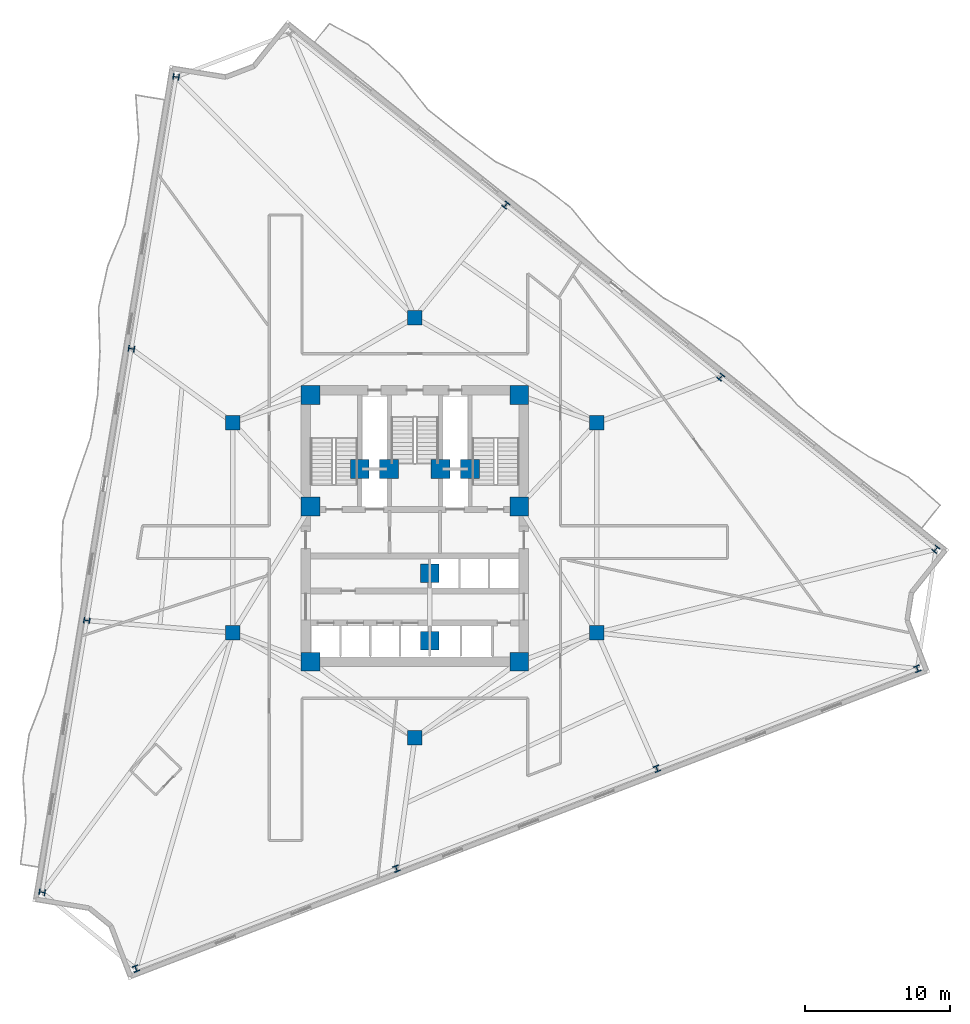
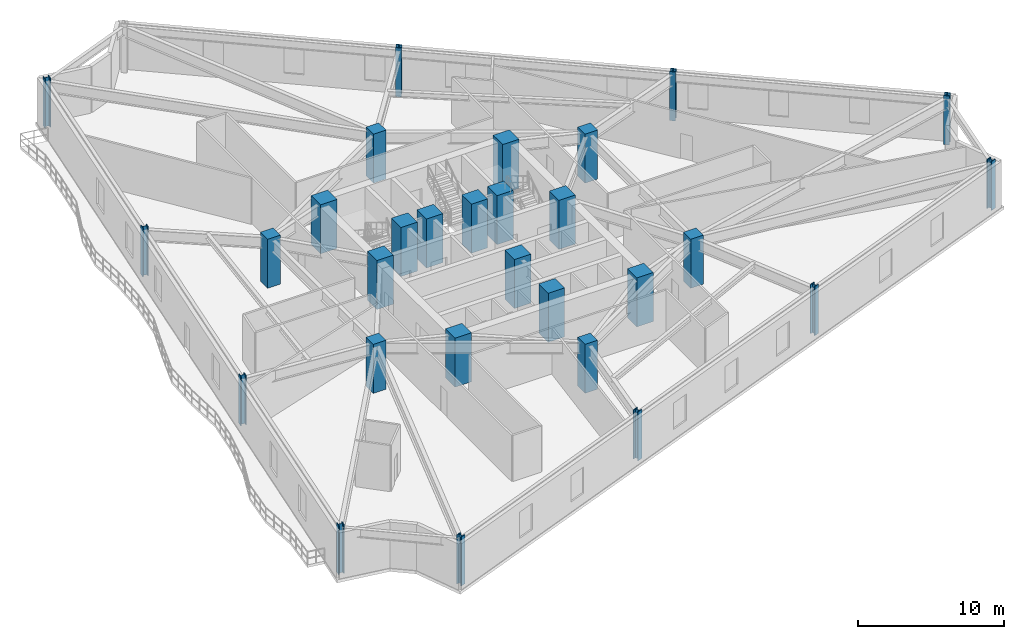
# One storey, part 1 of 10: 29 columns.
"""IFC4 building model written with IfcOpenShell, lengths in metres."""

import ifcopenshell
import ifcopenshell.guid

model = None  # the IFC model being written
_history = None  # IfcOwnerHistory: only IFC2X3 demands one
_inside = {}  # id of a spatial element -> (the spatial element, [elements in it])
_under = {}  # id of a project, library or spatial element -> (it, [spatial elements below it])
_declared = {}  # id of a project -> (the project, [libraries it declares])
_typed = {}  # id of a type object -> (the type object, [elements of that type])
_made_of = {}  # id of a material, layer set ... -> (it, [elements and type objects made of it])


def new_model(schema):
    """Start an empty IFC model of exactly this schema.

    Asked for "IFC4X3", IfcOpenShell would pick the latest addendum, in which some entities
    have other attributes; the version numbers below select the first issue.
    IFC2X3 requires an IfcOwnerHistory on every rooted entity: one is made here for all.
    """
    global model, _history
    if schema == "IFC4X3":
        model = ifcopenshell.file(schema_version=(4, 3, 0, 0))
    else:
        model = ifcopenshell.file(schema=schema)
    _inside.clear()
    _under.clear()
    _declared.clear()
    _typed.clear()
    _made_of.clear()
    _history = None
    if model.schema == "IFC2X3":
        org = make("IfcOrganization", Name="unknown")
        user = make(
            "IfcPersonAndOrganization",
            ThePerson=make("IfcPerson", FamilyName="unknown"),
            TheOrganization=org,
        )
        app = make(
            "IfcApplication",
            ApplicationDeveloper=org,
            Version="unknown",
            ApplicationFullName="unknown",
            ApplicationIdentifier="unknown",
        )
        _history = make(
            "IfcOwnerHistory",
            OwningUser=user,
            OwningApplication=app,
            ChangeAction="ADDED",
            CreationDate=0,
        )
    return model


def make(cls, **values):
    """One entity of the class cls with the attributes given. An attribute that is None is left unset."""
    return model.create_entity(
        cls, **{name: value for name, value in values.items() if value is not None}
    )


def rooted(cls, **values):
    """An entity with a GlobalId (a new one), such as an element, a storey or a relation."""
    return make(cls, GlobalId=ifcopenshell.guid.new(), OwnerHistory=_history, **values)


def si_unit(unit_type, name, prefix=None):
    """IfcSIUnit, for example si_unit("LENGTHUNIT", "METRE", prefix="MILLI")."""
    return make("IfcSIUnit", UnitType=unit_type, Prefix=prefix, Name=name)


def assignment(units):
    """IfcUnitAssignment: the units of a project."""
    return None if units is None else make("IfcUnitAssignment", Units=units)


def point(xyz):
    """IfcCartesianPoint."""
    return None if xyz is None else make("IfcCartesianPoint", Coordinates=xyz)


def direction(xyz):
    """IfcDirection."""
    return None if xyz is None else make("IfcDirection", DirectionRatios=xyz)


def frame(location, z_axis=None, x_axis=None):
    """IfcAxis2Placement3D, a coordinate frame: its origin and axes. An axis left out is left unset."""
    return make(
        "IfcAxis2Placement3D",
        Location=point(location),
        Axis=direction(z_axis),
        RefDirection=direction(x_axis),
    )


def frame_2d(location, x_axis=None):
    """IfcAxis2Placement2D, a coordinate frame in the plane: its origin and x axis."""
    return make(
        "IfcAxis2Placement2D", Location=point(location), RefDirection=direction(x_axis)
    )


def origin():
    """The frame at (0, 0, 0) with its axes left unset."""
    return frame((0.0, 0.0, 0.0))


def origin_2d():
    """The frame at (0, 0) in the plane with its x axis left unset."""
    return frame_2d((0.0, 0.0))


def place(relative_to, where):
    """IfcLocalPlacement: puts the frame where relative to a parent placement (None: the world)."""
    return make(
        "IfcLocalPlacement", PlacementRelTo=relative_to, RelativePlacement=where
    )


def context(
    kind, dimensions, precision=None, world=None, true_north=None, identifier=None
):
    """IfcGeometricRepresentationContext, for example the 3D "Model" context."""
    return make(
        "IfcGeometricRepresentationContext",
        ContextIdentifier=identifier,
        ContextType=kind,
        CoordinateSpaceDimension=dimensions,
        Precision=precision,
        WorldCoordinateSystem=world,
        TrueNorth=true_north,
    )


def subcontext(parent, identifier, kind, view, scale=None):
    """IfcGeometricRepresentationSubContext, for example "Body" below "Model"."""
    return make(
        "IfcGeometricRepresentationSubContext",
        ContextIdentifier=identifier,
        ContextType=kind,
        ParentContext=parent,
        TargetScale=scale,
        TargetView=view,
    )


def project(units=None, contexts=None):
    """IfcProject with its units and contexts."""
    return rooted(
        "IfcProject",
        Name="project",
        RepresentationContexts=contexts,
        UnitsInContext=assignment(units),
    )


def spatial(cls, under=None, at=None, **own):
    """A site, building, storey or space (cls), placed at a placement, below another one or the project."""
    s = rooted(cls, ObjectPlacement=at, **own)
    if under is not None:
        _under.setdefault(under.id(), (under, []))[1].append(s)
    return s


def profile(cls, at=None, kind="AREA", **sizes):
    """A parametric profile (cls). Its sizes go by their IFC names, for example OverallWidth=200.0."""
    return make(cls, ProfileType=kind, Position=at, **sizes)


def rectangle(**sizes):
    """IfcRectangleProfileDef."""
    return profile("IfcRectangleProfileDef", **sizes)


def i_section(**sizes):
    """IfcIShapeProfileDef."""
    return profile("IfcIShapeProfileDef", **sizes)


def extrude(swept, where, along, depth):
    """IfcExtrudedAreaSolid: the profile swept, set in the frame where, extruded along a direction by depth."""
    return make(
        "IfcExtrudedAreaSolid",
        SweptArea=swept,
        Position=where,
        ExtrudedDirection=direction(along),
        Depth=depth,
    )


def shape(context_of_items, identifier, shape_type, items):
    """IfcShapeRepresentation: the items that make up one representation, for example the "Body"."""
    return make(
        "IfcShapeRepresentation",
        ContextOfItems=context_of_items,
        RepresentationIdentifier=identifier,
        RepresentationType=shape_type,
        Items=items,
    )


def material(Name=None, Category=None):
    """IfcMaterial."""
    return make("IfcMaterial", Name=Name, Category=Category)


def material_profile(
    of_material, cross_section, Name=None, Category=None, Priority=None
):
    """IfcMaterialProfile: a cross section and its material."""
    return make(
        "IfcMaterialProfile",
        Name=Name,
        Material=of_material,
        Profile=cross_section,
        Priority=Priority,
        Category=Category,
    )


def profile_set(profiles, Name=None, composite=None):
    """IfcMaterialProfileSet."""
    return make(
        "IfcMaterialProfileSet",
        Name=Name,
        MaterialProfiles=profiles,
        CompositeProfile=composite,
    )


def made_of(thing, what):
    """Note that an element or type object is made of a material, layer set ...; save() writes the relation."""
    if what is not None:
        _made_of.setdefault(what.id(), (what, []))[1].append(thing)
    return thing


def type_object(cls, material=None, **own):
    """A type object (cls), such as IfcWallType, which elements share."""
    return made_of(rooted(cls, **own), material)


def element(
    cls,
    number,
    at=None,
    inside=None,
    cuts=None,
    type_object=None,
    material=None,
    context=None,
    identifier="Body",
    shape_type=None,
    held_by="IfcProductDefinitionShape",
    body=None,
    shapes=None,
    **own,
):
    """One element of the class cls, such as IfcWall. Its Tag is "e" and its number.

    at: its placement. inside: the storey or other place that contains it. cuts: it is an
    opening in that element (IfcRelVoidsElement). A single representation is given by context,
    identifier, shape_type and body (its items); several are given by shapes. held_by: the class
    of the entity that holds the representations. save() writes the other relations.
    """
    e = rooted(cls, Tag="e%d" % number, ObjectPlacement=at, **own)
    if body is not None:
        shapes = [shape(context, identifier, shape_type, body)]
    if shapes is not None:
        e.Representation = make(held_by, Representations=shapes)
    if inside is not None:
        _inside.setdefault(inside.id(), (inside, []))[1].append(e)
    if cuts is not None:
        rooted(
            "IfcRelVoidsElement", RelatingBuildingElement=cuts, RelatedOpeningElement=e
        )
    if type_object is not None:
        _typed.setdefault(type_object.id(), (type_object, []))[1].append(e)
    return made_of(e, material)


def aggregate(whole, parts):
    """IfcRelAggregates: a whole, such as a stair, and the parts it consists of."""
    return rooted("IfcRelAggregates", RelatingObject=whole, RelatedObjects=parts)


def save(model, path):
    """Write the relations noted so far, then the file.

    IfcRelAggregates (storeys below a building ...), IfcRelContainedInSpatialStructure (elements
    in a storey), IfcRelDefinesByType, IfcRelAssociatesMaterial and IfcRelDeclares: one each for
    every whole, place, type object, material and project.
    """
    for whole, parts in _under.values():
        aggregate(whole, parts)
    for where, things in _inside.values():
        rooted(
            "IfcRelContainedInSpatialStructure",
            RelatedElements=things,
            RelatingStructure=where,
        )
    for kind, things in _typed.values():
        rooted("IfcRelDefinesByType", RelatedObjects=things, RelatingType=kind)
    for what, things in _made_of.values():
        rooted("IfcRelAssociatesMaterial", RelatedObjects=things, RelatingMaterial=what)
    for by, libraries in _declared.values():
        rooted("IfcRelDeclares", RelatingContext=by, RelatedDefinitions=libraries)
    model.write(path)


model = new_model("IFC4")

# Units and contexts
model_context = context("Model", 3, precision=1e-05, world=origin(), true_north=direction((0.0, 1.0)))
body_context = subcontext(model_context, "Body", "Model", "MODEL_VIEW")
ifc_project = project(units=[si_unit("LENGTHUNIT", "METRE"), si_unit("AREAUNIT", "SQUARE_METRE"), si_unit("VOLUMEUNIT", "CUBIC_METRE"), si_unit("PLANEANGLEUNIT", "RADIAN"), si_unit("MASSUNIT", "GRAM", prefix="KILO")], contexts=[model_context])

# Site, building, storey
site_placement = place(None, origin())
site = spatial("IfcSite", under=ifc_project, at=site_placement, CompositionType="ELEMENT")
building_placement = place(site_placement, origin())
building = spatial("IfcBuilding", under=site, at=building_placement, Name="Apsidion Concourse Tower", CompositionType="ELEMENT")
storey_placement = place(building_placement, frame((0.0, 0.0, 152.699951171875)))
storey = spatial("IfcBuildingStorey", under=building, at=storey_placement, Name="L35", CompositionType="ELEMENT", Elevation=152.699951171875)

# Columns
ifc_material_1 = material(Name="Concrete C50/60", Category="concrete")
ifc_material_profile_1 = material_profile(ifc_material_1, rectangle(XDim=1.0, YDim=1.0, at=origin_2d()), Name="RC 1000x1000")
ifc_profile_set_1 = profile_set([ifc_material_profile_1], Name="Concrete C50/60")
column_type_1 = type_object("IfcColumnType", Name="COL-RC-1000", PredefinedType="COLUMN", material=ifc_profile_set_1)
for number, where, z_axis, x_axis, name in (
    (1, (-12.56005859375, -7.25, 0.0), (0.0, 0.0, 1.0), (1.0, 0.0, 0.0), "L35 Interior Spine Column IC1"),
    (2, (12.56005859375, -7.25, 0.0), (0.0, 0.0, 1.0), (1.0, 0.0, 0.0), "L35 Interior Spine Column IC2"),
    (3, (12.56005859375, 7.25, 0.0), (0.0, 0.0, 1.0), (1.0, 0.0, 0.0), "L35 Interior Spine Column IC3"),
    (4, (0.0, 14.5, 0.0), (0.0, 0.0, 1.0), (1.0, 0.0, 0.0), "L35 Interior Spine Column IC4"),
    (5, (-12.56005859375, 7.25, 0.0), (0.0, 0.0, 1.0), (1.0, 0.0, 0.0), "L35 Interior Spine Column IC5"),
    (6, (0.0, -14.5, 0.0), (0.0, 0.0, 1.0), (1.0, 0.0, 0.0), "L35 Interior Spine Column IC6"),
):
    element("IfcColumn", number, at=place(storey_placement, frame(where, z_axis=z_axis, x_axis=x_axis)), inside=storey, type_object=column_type_1, Name=name, PredefinedType="COLUMN", context=body_context, shape_type="SweptSolid", body=[
        extrude(rectangle(XDim=1.0, YDim=1.0, at=origin_2d()), origin(), (0.0, 0.0, 1.0), 4.10009765625),
    ])
ifc_material_profile_2 = material_profile(ifc_material_1, rectangle(XDim=1.300048828125, YDim=1.300048828125, at=origin_2d()), Name="RC 1300x1300")
ifc_profile_set_2 = profile_set([ifc_material_profile_2], Name="Concrete C50/60")
column_type_2 = type_object("IfcColumnType", Name="COL-RC-1300", PredefinedType="COLUMN", material=ifc_profile_set_2)
for number, where, z_axis, x_axis, name in (
    (7, (-7.199951171875, -9.25, 0.0), (0.0, 0.0, 1.0), (1.0, 0.0, 0.0), "L35 Core Super-Column SC1"),
    (8, (7.199951171875, -9.25, 0.0), (0.0, 0.0, 1.0), (1.0, 0.0, 0.0), "L35 Core Super-Column SC2"),
    (9, (7.199951171875, 1.449951171875, 0.0), (0.0, 0.0, 1.0), (1.0, 0.0, 0.0), "L35 Core Super-Column SC3"),
    (10, (7.199951171875, 9.14990234375, 0.0), (0.0, 0.0, 1.0), (1.0, 0.0, 0.0), "L35 Core Super-Column SC4"),
    (11, (-7.199951171875, 9.14990234375, 0.0), (0.0, 0.0, 1.0), (1.0, 0.0, 0.0), "L35 Core Super-Column SC5"),
    (12, (-7.199951171875, 1.449951171875, 0.0), (0.0, 0.0, 1.0), (1.0, 0.0, 0.0), "L35 Core Super-Column SC6"),
    (13, (-3.800048828125, 4.050048828125, 0.0), (0.0, 0.0, 1.0), (1.0, 0.0, 0.0), "L35 Core Super-Column CC1"),
    (14, (3.800048828125, 4.050048828125, 0.0), (0.0, 0.0, 1.0), (1.0, 0.0, 0.0), "L35 Core Super-Column CC2"),
    (15, (-1.77490234375, 4.050048828125, 0.0), (0.0, 0.0, 1.0), (1.0, 0.0, 0.0), "L35 Core Super-Column CC3"),
    (16, (1.77490234375, 4.050048828125, 0.0), (0.0, 0.0, 1.0), (1.0, 0.0, 0.0), "L35 Core Super-Column CC4"),
    (17, (1.02490234375, -3.14990234375, 0.0), (0.0, 0.0, 1.0), (1.0, 0.0, 0.0), "L35 Core Super-Column CC5"),
    (18, (1.02490234375, -7.800048828125, 0.0), (0.0, 0.0, 1.0), (1.0, 0.0, 0.0), "L35 Core Super-Column CC6"),
):
    element("IfcColumn", number, at=place(storey_placement, frame(where, z_axis=z_axis, x_axis=x_axis)), inside=storey, type_object=column_type_2, Name=name, PredefinedType="COLUMN", context=body_context, shape_type="SweptSolid", body=[
        extrude(rectangle(XDim=1.300048828125, YDim=1.300048828125, at=origin_2d()), origin(), (0.0, 0.0, 1.0), 4.10009765625),
    ])
ifc_material_2 = material(Name="Structural steel ASTM A992 Grade 50", Category="steel")
ifc_material_profile_3 = material_profile(ifc_material_2, i_section(OverallWidth=0.410888671875, OverallDepth=0.43408203125, WebThickness=0.035888671875, FlangeThickness=0.057373046875, at=origin_2d()), Name="W14X311")
ifc_profile_set_3 = profile_set([ifc_material_profile_3], Name="Structural steel ASTM A992 Grade 50")
column_type_3 = type_object("IfcColumnType", Name="COL-W14-311", PredefinedType="COLUMN", material=ifc_profile_set_3)
for number, where, z_axis, x_axis, name in (
    (19, (-16.477294921875, 31.100341796875, 0.0), (0.0, 0.0, 1.0), (0.162120515372, 0.986770965572, 0.0), "L35 Rotated Perimeter Column PC01"),
    (20, (-19.55859375, 12.34619140625, 0.0), (0.0, 0.0, 1.0), (0.162120515372, 0.986770965572, 0.0), "L35 Rotated Perimeter Column PC02"),
    (21, (-22.6396484375, -6.407958984375, 0.0), (0.0, 0.0, 1.0), (0.162120515372, 0.986770965572, 0.0), "L35 Rotated Perimeter Column PC03"),
    (22, (-25.720703125, -25.162109375, 0.0), (0.0, 0.0, 1.0), (0.162120515372, 0.986770965572, 0.0), "L35 Rotated Perimeter Column PC04"),
    (23, (-19.247314453125, -30.435302734375, 0.0), (0.0, 0.0, 1.0), (0.933580426497, 0.358367949545, 0.0), "L35 Rotated Perimeter Column PC05"),
    (24, (-1.275146484375, -23.53662109375, 0.0), (0.0, 0.0, 1.0), (0.933580426497, 0.358367949545, 0.0), "L35 Rotated Perimeter Column PC06"),
    (25, (16.69677734375, -16.6376953125, 0.0), (0.0, 0.0, 1.0), (0.933580426497, 0.358367949545, 0.0), "L35 Rotated Perimeter Column PC07"),
    (26, (34.668701171875, -9.739013671875, 0.0), (0.0, 0.0, 1.0), (0.933580426497, 0.358367949545, 0.0), "L35 Rotated Perimeter Column PC08"),
    (27, (35.951171875, -1.488525390625, 0.0), (0.0, 0.0, 1.0), (-0.780757676633, 0.624833938242, 0.0), "L35 Rotated Perimeter Column PC09"),
    (28, (21.1123046875, 10.38671875, 0.0), (0.0, 0.0, 1.0), (-0.780757676633, 0.624833938242, 0.0), "L35 Rotated Perimeter Column PC10"),
    (29, (6.2734375, 22.26220703125, 0.0), (0.0, 0.0, 1.0), (-0.780757676633, 0.624833938242, 0.0), "L35 Rotated Perimeter Column PC11"),
):
    element("IfcColumn", number, at=place(storey_placement, frame(where, z_axis=z_axis, x_axis=x_axis)), inside=storey, type_object=column_type_3, Name=name, PredefinedType="COLUMN", context=body_context, shape_type="SweptSolid", body=[
        extrude(i_section(OverallWidth=0.410888671875, OverallDepth=0.43408203125, WebThickness=0.035888671875, FlangeThickness=0.057373046875, at=origin_2d()), origin(), (0.0, 0.0, 1.0), 4.10009765625),
    ])

save(model, "model.ifc")
